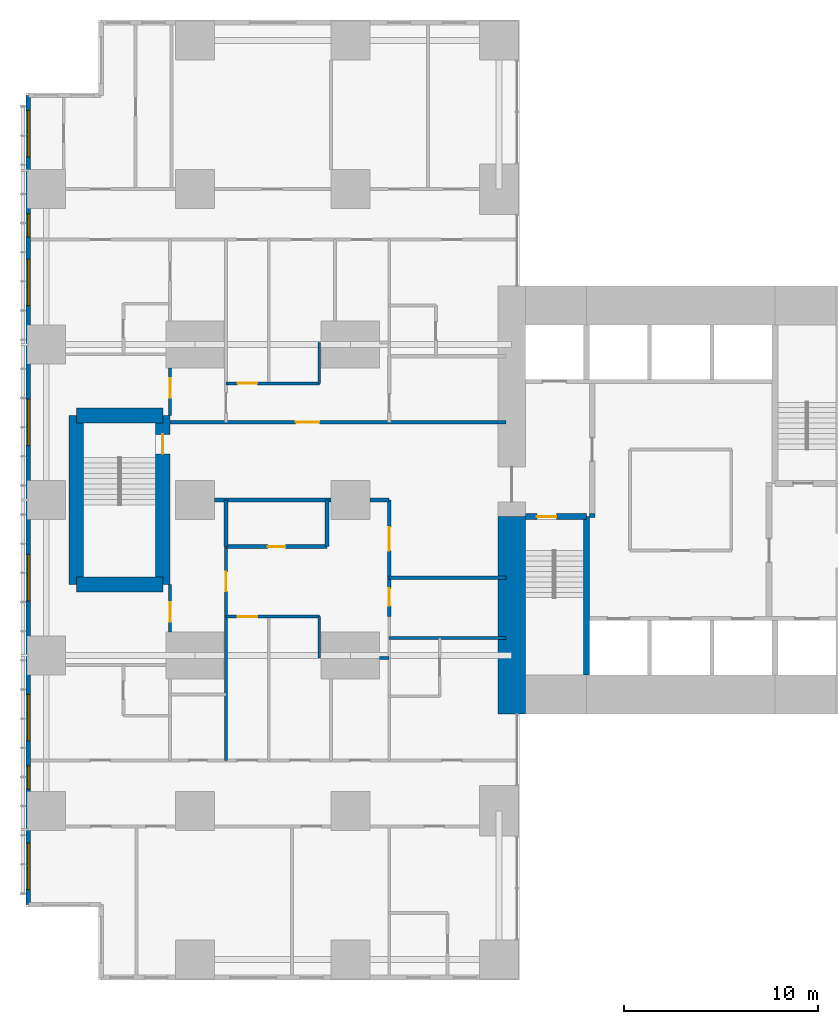
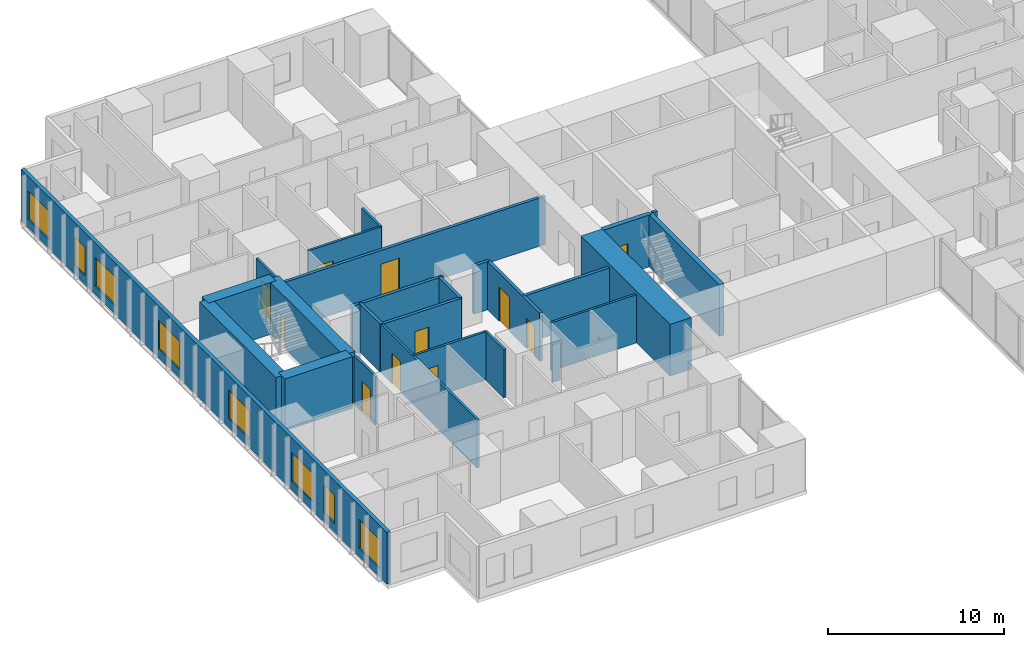
# One storey, part 13 of 20: 26 walls, 11 doors, 8 windows, 19 openings.
"""IFC4 building model written with IfcOpenShell, lengths in metres."""

import ifcopenshell
import ifcopenshell.guid

model = None  # the IFC model being written
_history = None  # IfcOwnerHistory: only IFC2X3 demands one
_inside = {}  # id of a spatial element -> (the spatial element, [elements in it])
_under = {}  # id of a project, library or spatial element -> (it, [spatial elements below it])
_declared = {}  # id of a project -> (the project, [libraries it declares])
_typed = {}  # id of a type object -> (the type object, [elements of that type])
_made_of = {}  # id of a material, layer set ... -> (it, [elements and type objects made of it])


def new_model(schema):
    """Start an empty IFC model of exactly this schema.

    Asked for "IFC4X3", IfcOpenShell would pick the latest addendum, in which some entities
    have other attributes; the version numbers below select the first issue.
    IFC2X3 requires an IfcOwnerHistory on every rooted entity: one is made here for all.
    """
    global model, _history
    if schema == "IFC4X3":
        model = ifcopenshell.file(schema_version=(4, 3, 0, 0))
    else:
        model = ifcopenshell.file(schema=schema)
    _inside.clear()
    _under.clear()
    _declared.clear()
    _typed.clear()
    _made_of.clear()
    _history = None
    if model.schema == "IFC2X3":
        org = make("IfcOrganization", Name="unknown")
        user = make(
            "IfcPersonAndOrganization",
            ThePerson=make("IfcPerson", FamilyName="unknown"),
            TheOrganization=org,
        )
        app = make(
            "IfcApplication",
            ApplicationDeveloper=org,
            Version="unknown",
            ApplicationFullName="unknown",
            ApplicationIdentifier="unknown",
        )
        _history = make(
            "IfcOwnerHistory",
            OwningUser=user,
            OwningApplication=app,
            ChangeAction="ADDED",
            CreationDate=0,
        )
    return model


def make(cls, **values):
    """One entity of the class cls with the attributes given. An attribute that is None is left unset."""
    return model.create_entity(
        cls, **{name: value for name, value in values.items() if value is not None}
    )


def rooted(cls, **values):
    """An entity with a GlobalId (a new one), such as an element, a storey or a relation."""
    return make(cls, GlobalId=ifcopenshell.guid.new(), OwnerHistory=_history, **values)


def si_unit(unit_type, name, prefix=None):
    """IfcSIUnit, for example si_unit("LENGTHUNIT", "METRE", prefix="MILLI")."""
    return make("IfcSIUnit", UnitType=unit_type, Prefix=prefix, Name=name)


def assignment(units):
    """IfcUnitAssignment: the units of a project."""
    return None if units is None else make("IfcUnitAssignment", Units=units)


def point(xyz):
    """IfcCartesianPoint."""
    return None if xyz is None else make("IfcCartesianPoint", Coordinates=xyz)


def direction(xyz):
    """IfcDirection."""
    return None if xyz is None else make("IfcDirection", DirectionRatios=xyz)


def frame(location, z_axis=None, x_axis=None):
    """IfcAxis2Placement3D, a coordinate frame: its origin and axes. An axis left out is left unset."""
    return make(
        "IfcAxis2Placement3D",
        Location=point(location),
        Axis=direction(z_axis),
        RefDirection=direction(x_axis),
    )


def frame_2d(location, x_axis=None):
    """IfcAxis2Placement2D, a coordinate frame in the plane: its origin and x axis."""
    return make(
        "IfcAxis2Placement2D", Location=point(location), RefDirection=direction(x_axis)
    )


def origin():
    """The frame at (0, 0, 0) with its axes left unset."""
    return frame((0.0, 0.0, 0.0))


def place(relative_to, where):
    """IfcLocalPlacement: puts the frame where relative to a parent placement (None: the world)."""
    return make(
        "IfcLocalPlacement", PlacementRelTo=relative_to, RelativePlacement=where
    )


def context(
    kind, dimensions, precision=None, world=None, true_north=None, identifier=None
):
    """IfcGeometricRepresentationContext, for example the 3D "Model" context."""
    return make(
        "IfcGeometricRepresentationContext",
        ContextIdentifier=identifier,
        ContextType=kind,
        CoordinateSpaceDimension=dimensions,
        Precision=precision,
        WorldCoordinateSystem=world,
        TrueNorth=true_north,
    )


def subcontext(parent, identifier, kind, view, scale=None):
    """IfcGeometricRepresentationSubContext, for example "Body" below "Model"."""
    return make(
        "IfcGeometricRepresentationSubContext",
        ContextIdentifier=identifier,
        ContextType=kind,
        ParentContext=parent,
        TargetScale=scale,
        TargetView=view,
    )


def project(units=None, contexts=None):
    """IfcProject with its units and contexts."""
    return rooted(
        "IfcProject",
        Name="project",
        RepresentationContexts=contexts,
        UnitsInContext=assignment(units),
    )


def spatial(cls, under=None, at=None, **own):
    """A site, building, storey or space (cls), placed at a placement, below another one or the project."""
    s = rooted(cls, ObjectPlacement=at, **own)
    if under is not None:
        _under.setdefault(under.id(), (under, []))[1].append(s)
    return s


def profile(cls, at=None, kind="AREA", **sizes):
    """A parametric profile (cls). Its sizes go by their IFC names, for example OverallWidth=200.0."""
    return make(cls, ProfileType=kind, Position=at, **sizes)


def rectangle(**sizes):
    """IfcRectangleProfileDef."""
    return profile("IfcRectangleProfileDef", **sizes)


def extrude(swept, where, along, depth):
    """IfcExtrudedAreaSolid: the profile swept, set in the frame where, extruded along a direction by depth."""
    return make(
        "IfcExtrudedAreaSolid",
        SweptArea=swept,
        Position=where,
        ExtrudedDirection=direction(along),
        Depth=depth,
    )


def shape(context_of_items, identifier, shape_type, items):
    """IfcShapeRepresentation: the items that make up one representation, for example the "Body"."""
    return make(
        "IfcShapeRepresentation",
        ContextOfItems=context_of_items,
        RepresentationIdentifier=identifier,
        RepresentationType=shape_type,
        Items=items,
    )


def material(Name=None, Category=None):
    """IfcMaterial."""
    return make("IfcMaterial", Name=Name, Category=Category)


def layer(
    of_material, thickness, ventilated=None, Name=None, Category=None, Priority=None
):
    """IfcMaterialLayer: one layer of a wall or slab, of a material (None: an air gap)."""
    return make(
        "IfcMaterialLayer",
        Material=of_material,
        LayerThickness=thickness,
        IsVentilated=ventilated,
        Name=Name,
        Category=Category,
        Priority=Priority,
    )


def layer_set(layers, Name=None):
    """IfcMaterialLayerSet."""
    return make("IfcMaterialLayerSet", MaterialLayers=layers, LayerSetName=Name)


def made_of(thing, what):
    """Note that an element or type object is made of a material, layer set ...; save() writes the relation."""
    if what is not None:
        _made_of.setdefault(what.id(), (what, []))[1].append(thing)
    return thing


def type_object(cls, material=None, **own):
    """A type object (cls), such as IfcWallType, which elements share."""
    return made_of(rooted(cls, **own), material)


def element(
    cls,
    number,
    at=None,
    inside=None,
    cuts=None,
    type_object=None,
    material=None,
    context=None,
    identifier="Body",
    shape_type=None,
    held_by="IfcProductDefinitionShape",
    body=None,
    shapes=None,
    **own,
):
    """One element of the class cls, such as IfcWall. Its Tag is "e" and its number.

    at: its placement. inside: the storey or other place that contains it. cuts: it is an
    opening in that element (IfcRelVoidsElement). A single representation is given by context,
    identifier, shape_type and body (its items); several are given by shapes. held_by: the class
    of the entity that holds the representations. save() writes the other relations.
    """
    e = rooted(cls, Tag="e%d" % number, ObjectPlacement=at, **own)
    if body is not None:
        shapes = [shape(context, identifier, shape_type, body)]
    if shapes is not None:
        e.Representation = make(held_by, Representations=shapes)
    if inside is not None:
        _inside.setdefault(inside.id(), (inside, []))[1].append(e)
    if cuts is not None:
        rooted(
            "IfcRelVoidsElement", RelatingBuildingElement=cuts, RelatedOpeningElement=e
        )
    if type_object is not None:
        _typed.setdefault(type_object.id(), (type_object, []))[1].append(e)
    return made_of(e, material)


def fill(opening, filler):
    """IfcRelFillsElement: the door or window that sits in an opening."""
    return rooted(
        "IfcRelFillsElement",
        RelatingOpeningElement=opening,
        RelatedBuildingElement=filler,
    )


def aggregate(whole, parts):
    """IfcRelAggregates: a whole, such as a stair, and the parts it consists of."""
    return rooted("IfcRelAggregates", RelatingObject=whole, RelatedObjects=parts)


def save(model, path):
    """Write the relations noted so far, then the file.

    IfcRelAggregates (storeys below a building ...), IfcRelContainedInSpatialStructure (elements
    in a storey), IfcRelDefinesByType, IfcRelAssociatesMaterial and IfcRelDeclares: one each for
    every whole, place, type object, material and project.
    """
    for whole, parts in _under.values():
        aggregate(whole, parts)
    for where, things in _inside.values():
        rooted(
            "IfcRelContainedInSpatialStructure",
            RelatedElements=things,
            RelatingStructure=where,
        )
    for kind, things in _typed.values():
        rooted("IfcRelDefinesByType", RelatedObjects=things, RelatingType=kind)
    for what, things in _made_of.values():
        rooted("IfcRelAssociatesMaterial", RelatedObjects=things, RelatingMaterial=what)
    for by, libraries in _declared.values():
        rooted("IfcRelDeclares", RelatingContext=by, RelatedDefinitions=libraries)
    model.write(path)


model = new_model("IFC4")

# Units and contexts
model_context = context("Model", 3, precision=1e-05, world=origin(), true_north=direction((0.0, 1.0)))
body_context = subcontext(model_context, "Body", "Model", "MODEL_VIEW")
ifc_project = project(units=[si_unit("LENGTHUNIT", "METRE"), si_unit("AREAUNIT", "SQUARE_METRE"), si_unit("VOLUMEUNIT", "CUBIC_METRE"), si_unit("PLANEANGLEUNIT", "RADIAN"), si_unit("MASSUNIT", "GRAM", prefix="KILO")], contexts=[model_context])

# Site, building, storey
site_placement = place(None, origin())
site = spatial("IfcSite", under=ifc_project, at=site_placement, CompositionType="ELEMENT")
building_placement = place(site_placement, origin())
building = spatial("IfcBuilding", under=site, at=building_placement, Name="Cleftline Residences", CompositionType="ELEMENT")
storey_placement = place(building_placement, frame((0.0, 0.0, 62.0)))
storey = spatial("IfcBuildingStorey", under=building, at=storey_placement, Name="L15", CompositionType="ELEMENT", Elevation=62.0)

# Walls
ifc_material_1 = material(Name="Concrete B70", Category="concrete")
ifc_layer_1 = layer(ifc_material_1, 1.39990234375)
ifc_layer_set_1 = layer_set([ifc_layer_1], Name="CORE WALL 1400")
wall_type_1 = type_object("IfcWallType", Name="CORE WALL 1400", PredefinedType="SHEAR", material=ifc_layer_set_1)
wall_1_placement = place(storey_placement, frame((24.300048828125, 13.0, 0.0), z_axis=(0.0, 0.0, 1.0), x_axis=(0.0, 1.0, 0.0)))
element("IfcWall", 1, at=wall_1_placement, inside=storey, type_object=wall_type_1, Name="Core wall W0", PredefinedType="SHEAR", context=body_context, shape_type="SweptSolid", body=[
    extrude(rectangle(XDim=10.14990234375, YDim=1.39990234375, at=frame_2d((5.074951171875, 0.0))), origin(), (0.0, 0.0, 1.0), 3.60009765625),
])
ifc_material_2 = material(Name="Concrete B70", Category="concrete")
ifc_layer_2 = layer(ifc_material_2, 0.300048828125)
ifc_layer_set_2 = layer_set([ifc_layer_2], Name="CORE WALL 300")
wall_type_2 = type_object("IfcWallType", Name="CORE WALL 300", PredefinedType="SHEAR", material=ifc_layer_set_2)
wall_2_placement = place(storey_placement, frame((28.14990234375, 15.0, 0.0), z_axis=(0.0, 0.0, 1.0), x_axis=(0.0, 1.0, 0.0)))
element("IfcWall", 2, at=wall_2_placement, inside=storey, type_object=wall_type_2, Name="Core wall SA-E", PredefinedType="SHEAR", context=body_context, shape_type="SweptSolid", body=[
    extrude(rectangle(XDim=8.14990234375, YDim=0.300048828125, at=frame_2d((4.074951171875, 0.0))), origin(), (0.0, 0.0, 1.0), 3.60009765625),
])

# Wall, opening, door
wall_3_placement = place(storey_placement, frame((25.0, 23.14990234375, 0.0), z_axis=(0.0, 0.0, 1.0), x_axis=(1.0, 0.0, 0.0)))
wall_3 = element("IfcWall", 3, at=wall_3_placement, inside=storey, type_object=wall_type_2, Name="Core wall SA-N", PredefinedType="SHEAR", context=body_context, shape_type="SweptSolid", body=[
    extrude(rectangle(XDim=3.14990234375, YDim=0.300048828125, at=frame_2d((1.574951171875, 0.0))), origin(), (0.0, 0.0, 1.0), 3.60009765625),
])
opening_1_placement = place(wall_3_placement, frame((0.60009765625, 0.0, 0.0)))
opening_1 = element("IfcOpeningElement", 4, at=opening_1_placement, cuts=wall_3, Name="Opening D5", PredefinedType="OPENING", context=body_context, shape_type="SweptSolid", body=[
    extrude(rectangle(XDim=1.0, YDim=2.10009765625, at=frame_2d((0.5, 1.050048828125))), frame((0.0, 0.159912109375, 0.0), z_axis=(0.0, -1.0, 0.0), x_axis=(1.0, 0.0, 0.0)), (0.0, 0.0, 1.0), 0.320068359375),
])
ifc_material_3 = material(Name="Steel", Category="steel")
door_type_1 = type_object("IfcDoorType", Name="STAIR DOOR 1000X2100", OperationType="SINGLE_SWING_LEFT", PredefinedType="DOOR", material=ifc_material_3)
door_1_placement = place(opening_1_placement, origin())
door_1 = element("IfcDoor", 5, at=door_1_placement, inside=storey, type_object=door_type_1, Name="Stair A door", OperationType="SINGLE_SWING_RIGHT", OverallHeight=2.10009765625, OverallWidth=1.0, PredefinedType="DOOR", context=body_context, shape_type="SweptSolid", body=[
    extrude(rectangle(XDim=1.0, YDim=2.10009765625, at=frame_2d((0.5, 1.050048828125))), frame((0.0, 0.02490234375, 0.0), z_axis=(0.0, -1.0, 0.0), x_axis=(1.0, 0.0, 0.0)), (0.0, 0.0, 1.0), 0.050048828125),
])
fill(opening_1, door_1)

# Wall, openings, windows
ifc_material_4 = material(Name="Rendered reinforced concrete blockwork", Category="masonry")
ifc_layer_3 = layer(ifc_material_4, 0.25)
ifc_layer_set_3 = layer_set([ifc_layer_3], Name="EXTERNAL WALL 250")
wall_type_3 = type_object("IfcWallType", Name="EXTERNAL WALL 250", PredefinedType="SOLIDWALL", material=ifc_layer_set_3)
wall_4_placement = place(storey_placement, frame((-0.574951171875, 44.824951171875, 0.0), z_axis=(0.0, 0.0, 1.0), x_axis=(0.0, -1.0, 0.0)))
wall_4 = element("IfcWall", 6, at=wall_4_placement, inside=storey, type_object=wall_type_3, Name="External wall", PredefinedType="SOLIDWALL", context=body_context, shape_type="SweptSolid", body=[
    extrude(rectangle(XDim=41.64990234375, YDim=0.25, at=frame_2d((20.824951171875, 0.0))), origin(), (0.0, 0.0, 1.0), 3.60009765625),
])
opening_2_placement = place(wall_4_placement, frame((0.77490234375, 0.0, 0.60009765625)))
opening_2 = element("IfcOpeningElement", 7, at=opening_2_placement, cuts=wall_4, Name="Opening W6", PredefinedType="OPENING", context=body_context, shape_type="SweptSolid", body=[
    extrude(rectangle(XDim=2.39990234375, YDim=2.0, at=frame_2d((1.199951171875, 1.0))), frame((0.0, 0.135009765625, 0.0), z_axis=(0.0, -1.0, 0.0), x_axis=(1.0, 0.0, 0.0)), (0.0, 0.0, 1.0), 0.27001953125),
])
opening_3_placement = place(wall_4_placement, frame((6.10009765625, 0.0, 0.60009765625)))
opening_3 = element("IfcOpeningElement", 8, at=opening_3_placement, cuts=wall_4, Name="Opening W8", PredefinedType="OPENING", context=body_context, shape_type="SweptSolid", body=[
    extrude(rectangle(XDim=1.199951171875, YDim=2.0, at=frame_2d((0.60009765625, 1.0))), frame((0.0, 0.135009765625, 0.0), z_axis=(0.0, -1.0, 0.0), x_axis=(1.0, 0.0, 0.0)), (0.0, 0.0, 1.0), 0.27001953125),
])
opening_4_placement = place(wall_4_placement, frame((8.425048828125, 0.0, 0.60009765625)))
opening_4 = element("IfcOpeningElement", 9, at=opening_4_placement, cuts=wall_4, Name="Opening W6", PredefinedType="OPENING", context=body_context, shape_type="SweptSolid", body=[
    extrude(rectangle(XDim=2.39990234375, YDim=2.0, at=frame_2d((1.199951171875, 1.0))), frame((0.0, 0.135009765625, 0.0), z_axis=(0.0, -1.0, 0.0), x_axis=(1.0, 0.0, 0.0)), (0.0, 0.0, 1.0), 0.27001953125),
])
opening_5_placement = place(wall_4_placement, frame((15.625, 0.0, 0.60009765625)))
opening_5 = element("IfcOpeningElement", 10, at=opening_5_placement, cuts=wall_4, Name="Opening W6", PredefinedType="OPENING", context=body_context, shape_type="SweptSolid", body=[
    extrude(rectangle(XDim=2.39990234375, YDim=2.0, at=frame_2d((1.199951171875, 1.0))), frame((0.0, 0.135009765625, 0.0), z_axis=(0.0, -1.0, 0.0), x_axis=(1.0, 0.0, 0.0)), (0.0, 0.0, 1.0), 0.27001953125),
])
opening_6_placement = place(wall_4_placement, frame((23.625, 0.0, 0.60009765625)))
opening_6 = element("IfcOpeningElement", 11, at=opening_6_placement, cuts=wall_4, Name="Opening W6", PredefinedType="OPENING", context=body_context, shape_type="SweptSolid", body=[
    extrude(rectangle(XDim=2.39990234375, YDim=2.0, at=frame_2d((1.199951171875, 1.0))), frame((0.0, 0.135009765625, 0.0), z_axis=(0.0, -1.0, 0.0), x_axis=(1.0, 0.0, 0.0)), (0.0, 0.0, 1.0), 0.27001953125),
])
opening_7_placement = place(wall_4_placement, frame((30.824951171875, 0.0, 0.60009765625)))
opening_7 = element("IfcOpeningElement", 12, at=opening_7_placement, cuts=wall_4, Name="Opening W6", PredefinedType="OPENING", context=body_context, shape_type="SweptSolid", body=[
    extrude(rectangle(XDim=2.39990234375, YDim=2.0, at=frame_2d((1.199951171875, 1.0))), frame((0.0, 0.135009765625, 0.0), z_axis=(0.0, -1.0, 0.0), x_axis=(1.0, 0.0, 0.0)), (0.0, 0.0, 1.0), 0.27001953125),
])
opening_8_placement = place(wall_4_placement, frame((34.5, 0.0, 0.60009765625)))
opening_8 = element("IfcOpeningElement", 13, at=opening_8_placement, cuts=wall_4, Name="Opening W8", PredefinedType="OPENING", context=body_context, shape_type="SweptSolid", body=[
    extrude(rectangle(XDim=1.199951171875, YDim=2.0, at=frame_2d((0.60009765625, 1.0))), frame((0.0, 0.135009765625, 0.0), z_axis=(0.0, -1.0, 0.0), x_axis=(1.0, 0.0, 0.0)), (0.0, 0.0, 1.0), 0.27001953125),
])
opening_9_placement = place(wall_4_placement, frame((38.47509765625, 0.0, 0.60009765625)))
opening_9 = element("IfcOpeningElement", 14, at=opening_9_placement, cuts=wall_4, Name="Opening W6", PredefinedType="OPENING", context=body_context, shape_type="SweptSolid", body=[
    extrude(rectangle(XDim=2.39990234375, YDim=2.0, at=frame_2d((1.199951171875, 1.0))), frame((0.0, 0.135009765625, 0.0), z_axis=(0.0, -1.0, 0.0), x_axis=(1.0, 0.0, 0.0)), (0.0, 0.0, 1.0), 0.27001953125),
])
ifc_material_5 = material(Name="Aluminium frame, clear double glazing", Category="aluminium")
window_type_1 = type_object("IfcWindowType", Name="WINDOW 1200X2000", PartitioningType="DOUBLE_PANEL_VERTICAL", PredefinedType="WINDOW", material=ifc_material_5)
window_1_placement = place(opening_3_placement, origin())
window_1 = element("IfcWindow", 15, at=window_1_placement, inside=storey, type_object=window_type_1, Name="Window", OverallHeight=2.0, OverallWidth=1.199951171875, PartitioningType="SINGLE_PANEL", PredefinedType="WINDOW", context=body_context, shape_type="SweptSolid", body=[
    extrude(rectangle(XDim=1.199951171875, YDim=2.0, at=frame_2d((0.60009765625, 1.0))), frame((0.0, 0.030029296875, 0.0), z_axis=(0.0, -1.0, 0.0), x_axis=(1.0, 0.0, 0.0)), (0.0, 0.0, 1.0), 0.06005859375),
])
fill(opening_3, window_1)
window_2_placement = place(opening_8_placement, origin())
window_2 = element("IfcWindow", 16, at=window_2_placement, inside=storey, type_object=window_type_1, Name="Window", OverallHeight=2.0, OverallWidth=1.199951171875, PartitioningType="SINGLE_PANEL", PredefinedType="WINDOW", context=body_context, shape_type="SweptSolid", body=[
    extrude(rectangle(XDim=1.199951171875, YDim=2.0, at=frame_2d((0.60009765625, 1.0))), frame((0.0, 0.030029296875, 0.0), z_axis=(0.0, -1.0, 0.0), x_axis=(1.0, 0.0, 0.0)), (0.0, 0.0, 1.0), 0.06005859375),
])
fill(opening_8, window_2)
ifc_material_6 = material(Name="Aluminium frame, clear double glazing", Category="aluminium")
window_type_2 = type_object("IfcWindowType", Name="WINDOW 2400X2000", PartitioningType="DOUBLE_PANEL_VERTICAL", PredefinedType="WINDOW", material=ifc_material_6)
window_3_placement = place(opening_2_placement, origin())
window_3 = element("IfcWindow", 17, at=window_3_placement, inside=storey, type_object=window_type_2, Name="Window", OverallHeight=2.0, OverallWidth=2.39990234375, PartitioningType="SINGLE_PANEL", PredefinedType="WINDOW", context=body_context, shape_type="SweptSolid", body=[
    extrude(rectangle(XDim=2.39990234375, YDim=2.0, at=frame_2d((1.199951171875, 1.0))), frame((0.0, 0.030029296875, 0.0), z_axis=(0.0, -1.0, 0.0), x_axis=(1.0, 0.0, 0.0)), (0.0, 0.0, 1.0), 0.06005859375),
])
fill(opening_2, window_3)
window_4_placement = place(opening_4_placement, origin())
window_4 = element("IfcWindow", 18, at=window_4_placement, inside=storey, type_object=window_type_2, Name="Window", OverallHeight=2.0, OverallWidth=2.39990234375, PartitioningType="SINGLE_PANEL", PredefinedType="WINDOW", context=body_context, shape_type="SweptSolid", body=[
    extrude(rectangle(XDim=2.39990234375, YDim=2.0, at=frame_2d((1.199951171875, 1.0))), frame((0.0, 0.030029296875, 0.0), z_axis=(0.0, -1.0, 0.0), x_axis=(1.0, 0.0, 0.0)), (0.0, 0.0, 1.0), 0.06005859375),
])
fill(opening_4, window_4)
window_5_placement = place(opening_5_placement, origin())
window_5 = element("IfcWindow", 19, at=window_5_placement, inside=storey, type_object=window_type_2, Name="Window", OverallHeight=2.0, OverallWidth=2.39990234375, PartitioningType="SINGLE_PANEL", PredefinedType="WINDOW", context=body_context, shape_type="SweptSolid", body=[
    extrude(rectangle(XDim=2.39990234375, YDim=2.0, at=frame_2d((1.199951171875, 1.0))), frame((0.0, 0.030029296875, 0.0), z_axis=(0.0, -1.0, 0.0), x_axis=(1.0, 0.0, 0.0)), (0.0, 0.0, 1.0), 0.06005859375),
])
fill(opening_5, window_5)
window_6_placement = place(opening_6_placement, origin())
window_6 = element("IfcWindow", 20, at=window_6_placement, inside=storey, type_object=window_type_2, Name="Window", OverallHeight=2.0, OverallWidth=2.39990234375, PartitioningType="SINGLE_PANEL", PredefinedType="WINDOW", context=body_context, shape_type="SweptSolid", body=[
    extrude(rectangle(XDim=2.39990234375, YDim=2.0, at=frame_2d((1.199951171875, 1.0))), frame((0.0, 0.030029296875, 0.0), z_axis=(0.0, -1.0, 0.0), x_axis=(1.0, 0.0, 0.0)), (0.0, 0.0, 1.0), 0.06005859375),
])
fill(opening_6, window_6)
window_7_placement = place(opening_7_placement, origin())
window_7 = element("IfcWindow", 21, at=window_7_placement, inside=storey, type_object=window_type_2, Name="Window", OverallHeight=2.0, OverallWidth=2.39990234375, PartitioningType="SINGLE_PANEL", PredefinedType="WINDOW", context=body_context, shape_type="SweptSolid", body=[
    extrude(rectangle(XDim=2.39990234375, YDim=2.0, at=frame_2d((1.199951171875, 1.0))), frame((0.0, 0.030029296875, 0.0), z_axis=(0.0, -1.0, 0.0), x_axis=(1.0, 0.0, 0.0)), (0.0, 0.0, 1.0), 0.06005859375),
])
fill(opening_7, window_7)
window_8_placement = place(opening_9_placement, origin())
window_8 = element("IfcWindow", 22, at=window_8_placement, inside=storey, type_object=window_type_2, Name="Window", OverallHeight=2.0, OverallWidth=2.39990234375, PartitioningType="SINGLE_PANEL", PredefinedType="WINDOW", context=body_context, shape_type="SweptSolid", body=[
    extrude(rectangle(XDim=2.39990234375, YDim=2.0, at=frame_2d((1.199951171875, 1.0))), frame((0.0, 0.030029296875, 0.0), z_axis=(0.0, -1.0, 0.0), x_axis=(1.0, 0.0, 0.0)), (0.0, 0.0, 1.0), 0.06005859375),
])
fill(opening_9, window_8)

# Wall
ifc_material_7 = material(Name="Concrete blockwork, fire rated", Category="masonry")
ifc_layer_4 = layer(ifc_material_7, 0.199951171875)
ifc_layer_set_4 = layer_set([ifc_layer_4], Name="FIRE WALL 200")
wall_type_4 = type_object("IfcWallType", Name="FIRE WALL 200", PredefinedType="PARTITIONING", material=ifc_layer_set_4)
wall_5_placement = place(storey_placement, frame((18.0, 20.0, 0.0), z_axis=(0.0, 0.0, 1.0), x_axis=(1.0, 0.0, 0.0)))
element("IfcWall", 23, at=wall_5_placement, inside=storey, type_object=wall_type_4, Name="Fire separating wall", PredefinedType="PARTITIONING", context=body_context, shape_type="SweptSolid", body=[
    extrude(rectangle(XDim=6.0, YDim=0.199951171875, at=frame_2d((3.0, 0.0))), origin(), (0.0, 0.0, 1.0), 3.35009765625),
])

# Wall, opening, door
wall_6_placement = place(storey_placement, frame((9.60009765625, 21.60009765625, 0.0), z_axis=(0.0, 0.0, 1.0), x_axis=(1.0, 0.0, 0.0)))
wall_6 = element("IfcWall", 24, at=wall_6_placement, inside=storey, type_object=wall_type_4, Name="Fire separating wall", PredefinedType="PARTITIONING", context=body_context, shape_type="SweptSolid", body=[
    extrude(rectangle(XDim=5.199951171875, YDim=0.199951171875, at=frame_2d((2.60009765625, 0.0))), origin(), (0.0, 0.0, 1.0), 3.35009765625),
])
opening_10_placement = place(wall_6_placement, frame((2.14990234375, 0.0, 0.0)))
opening_10 = element("IfcOpeningElement", 25, at=opening_10_placement, cuts=wall_6, Name="Opening D1F30", PredefinedType="OPENING", context=body_context, shape_type="SweptSolid", body=[
    extrude(rectangle(XDim=0.89990234375, YDim=2.10009765625, at=frame_2d((0.449951171875, 1.050048828125))), frame((0.0, 0.10986328125, 0.0), z_axis=(0.0, -1.0, 0.0), x_axis=(1.0, 0.0, 0.0)), (0.0, 0.0, 1.0), 0.219970703125),
])
ifc_material_8 = material(Name="Timber veneer on solid core", Category="wood")
door_type_2 = type_object("IfcDoorType", Name="DOOR 900X2100 EI 30", OperationType="SINGLE_SWING_LEFT", PredefinedType="DOOR", material=ifc_material_8)
door_2_placement = place(opening_10_placement, origin())
door_2 = element("IfcDoor", 26, at=door_2_placement, inside=storey, type_object=door_type_2, Name="Door to cloakroom wc", OperationType="SINGLE_SWING_LEFT", OverallHeight=2.10009765625, OverallWidth=0.89990234375, PredefinedType="DOOR", context=body_context, shape_type="SweptSolid", body=[
    extrude(rectangle(XDim=0.89990234375, YDim=2.10009765625, at=frame_2d((0.449951171875, 1.050048828125))), frame((0.0, 0.02490234375, 0.0), z_axis=(0.0, -1.0, 0.0), x_axis=(1.0, 0.0, 0.0)), (0.0, 0.0, 1.0), 0.050048828125),
])
fill(opening_10, door_2)

# Walls
wall_7_placement = place(storey_placement, frame((9.0, 24.0, 0.0), z_axis=(0.0, 0.0, 1.0), x_axis=(1.0, 0.0, 0.0)))
element("IfcWall", 27, at=wall_7_placement, inside=storey, type_object=wall_type_4, Name="Fire separating wall", PredefinedType="PARTITIONING", context=body_context, shape_type="SweptSolid", body=[
    extrude(rectangle(XDim=6.0, YDim=0.199951171875, at=frame_2d((3.0, 0.0))), origin(), (0.0, 0.0, 1.0), 3.35009765625),
])
wall_8_placement = place(storey_placement, frame((17.0, 24.0, 0.0), z_axis=(0.0, 0.0, 1.0), x_axis=(1.0, 0.0, 0.0)))
element("IfcWall", 28, at=wall_8_placement, inside=storey, type_object=wall_type_4, Name="Fire separating wall", PredefinedType="PARTITIONING", context=body_context, shape_type="SweptSolid", body=[
    extrude(rectangle(XDim=1.0, YDim=0.199951171875, at=frame_2d((0.5, 0.0))), origin(), (0.0, 0.0, 1.0), 3.35009765625),
])

# Wall, opening, door
wall_9_placement = place(storey_placement, frame((6.72509765625, 28.0, 0.0), z_axis=(0.0, 0.0, 1.0), x_axis=(1.0, 0.0, 0.0)))
wall_9 = element("IfcWall", 29, at=wall_9_placement, inside=storey, type_object=wall_type_4, Name="Fire separating wall", PredefinedType="PARTITIONING", context=body_context, shape_type="SweptSolid", body=[
    extrude(rectangle(XDim=17.27490234375, YDim=0.199951171875, at=frame_2d((8.637451171875, 0.0))), origin(), (0.0, 0.0, 1.0), 3.35009765625),
])
opening_11_placement = place(wall_9_placement, frame((6.47509765625, 0.0, 0.0)))
opening_11 = element("IfcOpeningElement", 30, at=opening_11_placement, cuts=wall_9, Name="Opening D4", PredefinedType="OPENING", context=body_context, shape_type="SweptSolid", body=[
    extrude(rectangle(XDim=1.199951171875, YDim=2.39990234375, at=frame_2d((0.60009765625, 1.199951171875))), frame((0.0, 0.10986328125, 0.0), z_axis=(0.0, -1.0, 0.0), x_axis=(1.0, 0.0, 0.0)), (0.0, 0.0, 1.0), 0.219970703125),
])
ifc_material_9 = material(Name="Timber veneer on solid core", Category="wood")
door_type_3 = type_object("IfcDoorType", Name="APARTMENT ENTRANCE DOOR 1200X2400", OperationType="SINGLE_SWING_RIGHT", PredefinedType="DOOR", material=ifc_material_9)
door_3_placement = place(opening_11_placement, origin())
door_3 = element("IfcDoor", 31, at=door_3_placement, inside=storey, type_object=door_type_3, Name="Door to residence entrance foyer", OperationType="SINGLE_SWING_RIGHT", OverallHeight=2.39990234375, OverallWidth=1.199951171875, PredefinedType="DOOR", context=body_context, shape_type="SweptSolid", body=[
    extrude(rectangle(XDim=1.199951171875, YDim=2.39990234375, at=frame_2d((0.60009765625, 1.199951171875))), frame((0.0, 0.02490234375, 0.0), z_axis=(0.0, -1.0, 0.0), x_axis=(1.0, 0.0, 0.0)), (0.0, 0.0, 1.0), 0.050048828125),
])
fill(opening_11, door_3)

# Walls
for number, where, z_axis, x_axis, name in (
    (32, (9.60009765625, 21.60009765625, 0.0), (0.0, 0.0, 1.0), (0.0, 1.0, 0.0), "Fire separating wall"),
    (33, (14.800048828125, 21.60009765625, 0.0), (0.0, 0.0, 1.0), (0.0, 1.0, 0.0), "Fire separating wall"),
):
    element("IfcWall", number, at=place(storey_placement, frame(where, z_axis=z_axis, x_axis=x_axis)), inside=storey, type_object=wall_type_4, Name=name, PredefinedType="PARTITIONING", context=body_context, shape_type="SweptSolid", body=[
        extrude(rectangle(XDim=2.39990234375, YDim=0.199951171875, at=frame_2d((1.199951171875, 0.0))), origin(), (0.0, 0.0, 1.0), 3.35009765625),
    ])

# Wall, openings, doors
wall_10_placement = place(storey_placement, frame((18.0, 18.0, 0.0), z_axis=(0.0, 0.0, 1.0), x_axis=(0.0, 1.0, 0.0)))
wall_10 = element("IfcWall", 34, at=wall_10_placement, inside=storey, type_object=wall_type_4, Name="Fire separating wall", PredefinedType="PARTITIONING", context=body_context, shape_type="SweptSolid", body=[
    extrude(rectangle(XDim=6.0, YDim=0.199951171875, at=frame_2d((3.0, 0.0))), origin(), (0.0, 0.0, 1.0), 3.35009765625),
])
opening_12_placement = place(wall_10_placement, frame((3.39990234375, 0.0, 0.0)))
opening_12 = element("IfcOpeningElement", 35, at=opening_12_placement, cuts=wall_10, Name="Opening D4", PredefinedType="OPENING", context=body_context, shape_type="SweptSolid", body=[
    extrude(rectangle(XDim=1.199951171875, YDim=2.39990234375, at=frame_2d((0.60009765625, 1.199951171875))), frame((0.0, 0.10986328125, 0.0), z_axis=(0.0, -1.0, 0.0), x_axis=(1.0, 0.0, 0.0)), (0.0, 0.0, 1.0), 0.219970703125),
])
opening_13_placement = place(wall_10_placement, frame((0.550048828125, 0.0, 0.0)))
opening_13 = element("IfcOpeningElement", 36, at=opening_13_placement, cuts=wall_10, Name="Opening D1F30", PredefinedType="OPENING", context=body_context, shape_type="SweptSolid", body=[
    extrude(rectangle(XDim=0.89990234375, YDim=2.10009765625, at=frame_2d((0.449951171875, 1.050048828125))), frame((0.0, 0.10986328125, 0.0), z_axis=(0.0, -1.0, 0.0), x_axis=(1.0, 0.0, 0.0)), (0.0, 0.0, 1.0), 0.219970703125),
])
door_4_placement = place(opening_12_placement, origin())
door_4 = element("IfcDoor", 37, at=door_4_placement, inside=storey, type_object=door_type_3, Name="Door to residence entrance foyer", OperationType="SINGLE_SWING_LEFT", OverallHeight=2.39990234375, OverallWidth=1.199951171875, PredefinedType="DOOR", context=body_context, shape_type="SweptSolid", body=[
    extrude(rectangle(XDim=1.199951171875, YDim=2.39990234375, at=frame_2d((0.60009765625, 1.199951171875))), frame((0.0, 0.02490234375, 0.0), z_axis=(0.0, -1.0, 0.0), x_axis=(1.0, 0.0, 0.0)), (0.0, 0.0, 1.0), 0.050048828125),
])
fill(opening_12, door_4)
door_5_placement = place(opening_13_placement, origin())
door_5 = element("IfcDoor", 38, at=door_5_placement, inside=storey, type_object=door_type_2, Name="Door to laundry", OperationType="SINGLE_SWING_RIGHT", OverallHeight=2.10009765625, OverallWidth=0.89990234375, PredefinedType="DOOR", context=body_context, shape_type="SweptSolid", body=[
    extrude(rectangle(XDim=0.89990234375, YDim=2.10009765625, at=frame_2d((0.449951171875, 1.050048828125))), frame((0.0, 0.02490234375, 0.0), z_axis=(0.0, -1.0, 0.0), x_axis=(1.0, 0.0, 0.0)), (0.0, 0.0, 1.0), 0.050048828125),
])
fill(opening_13, door_5)

# Walls
wall_11_placement = place(storey_placement, frame((28.300048828125, 23.199951171875, 0.0), z_axis=(0.0, 0.0, 1.0), x_axis=(1.0, 0.0, 0.0)))
element("IfcWall", 39, at=wall_11_placement, inside=storey, type_object=wall_type_4, Name="Fire separating wall", PredefinedType="PARTITIONING", context=body_context, shape_type="SweptSolid", body=[
    extrude(rectangle(XDim=0.300048828125, YDim=0.199951171875, at=frame_2d((0.14990234375, 0.0))), origin(), (0.0, 0.0, 1.0), 3.60009765625),
])
ifc_material_10 = material(Name="Gypsum board on steel studs", Category="steel")
ifc_layer_5 = layer(ifc_material_10, 0.14990234375)
ifc_layer_set_5 = layer_set([ifc_layer_5], Name="PARTITION 150")
wall_type_5 = type_object("IfcWallType", Name="PARTITION 150", PredefinedType="PARTITIONING", material=ifc_layer_set_5)
wall_12_placement = place(storey_placement, frame((17.5, 15.875, 0.0), z_axis=(0.0, 0.0, 1.0), x_axis=(1.0, 0.0, 0.0)))
element("IfcWall", 40, at=wall_12_placement, inside=storey, type_object=wall_type_5, Name="Partition", PredefinedType="PARTITIONING", context=body_context, shape_type="SweptSolid", body=[
    extrude(rectangle(XDim=0.5, YDim=0.14990234375, at=frame_2d((0.25, 0.0))), origin(), (0.0, 0.0, 1.0), 2.634033203125),
])
wall_13_placement = place(storey_placement, frame((18.0, 16.89990234375, 0.0), z_axis=(0.0, 0.0, 1.0), x_axis=(1.0, 0.0, 0.0)))
element("IfcWall", 41, at=wall_13_placement, inside=storey, type_object=wall_type_5, Name="Partition", PredefinedType="PARTITIONING", context=body_context, shape_type="SweptSolid", body=[
    extrude(rectangle(XDim=6.0, YDim=0.14990234375, at=frame_2d((3.0, 0.0))), origin(), (0.0, 0.0, 1.0), 3.35009765625),
])

# Wall, opening, door
wall_14_placement = place(storey_placement, frame((9.60009765625, 18.0, 0.0), z_axis=(0.0, 0.0, 1.0), x_axis=(1.0, 0.0, 0.0)))
wall_14 = element("IfcWall", 42, at=wall_14_placement, inside=storey, type_object=wall_type_5, Name="Partition", PredefinedType="PARTITIONING", context=body_context, shape_type="SweptSolid", body=[
    extrude(rectangle(XDim=4.7998046875, YDim=0.14990234375, at=frame_2d((2.39990234375, 0.0))), origin(), (0.0, 0.0, 1.0), 3.35009765625),
])
opening_14_placement = place(wall_14_placement, frame((0.60009765625, 0.0, 0.0)))
opening_14 = element("IfcOpeningElement", 43, at=opening_14_placement, cuts=wall_14, Name="Opening D2", PredefinedType="OPENING", context=body_context, shape_type="SweptSolid", body=[
    extrude(rectangle(XDim=1.0, YDim=2.10009765625, at=frame_2d((0.5, 1.050048828125))), frame((0.0, 0.0849609375, 0.0), z_axis=(0.0, -1.0, 0.0), x_axis=(1.0, 0.0, 0.0)), (0.0, 0.0, 1.0), 0.169921875),
])
ifc_material_11 = material(Name="Timber veneer on solid core", Category="wood")
door_type_4 = type_object("IfcDoorType", Name="DOOR 1000X2100", OperationType="SINGLE_SWING_LEFT", PredefinedType="DOOR", material=ifc_material_11)
door_6_placement = place(opening_14_placement, origin())
door_6 = element("IfcDoor", 44, at=door_6_placement, inside=storey, type_object=door_type_4, Name="Door to residence passage", OperationType="SINGLE_SWING_RIGHT", OverallHeight=2.10009765625, OverallWidth=1.0, PredefinedType="DOOR", context=body_context, shape_type="SweptSolid", body=[
    extrude(rectangle(XDim=1.0, YDim=2.10009765625, at=frame_2d((0.5, 1.050048828125))), frame((0.0, 0.02490234375, 0.0), z_axis=(0.0, -1.0, 0.0), x_axis=(1.0, 0.0, 0.0)), (0.0, 0.0, 1.0), 0.050048828125),
])
fill(opening_14, door_6)

wall_15_placement = place(storey_placement, frame((9.60009765625, 30.0, 0.0), z_axis=(0.0, 0.0, 1.0), x_axis=(1.0, 0.0, 0.0)))
wall_15 = element("IfcWall", 45, at=wall_15_placement, inside=storey, type_object=wall_type_5, Name="Partition", PredefinedType="PARTITIONING", context=body_context, shape_type="SweptSolid", body=[
    extrude(rectangle(XDim=4.7998046875, YDim=0.14990234375, at=frame_2d((2.39990234375, 0.0))), origin(), (0.0, 0.0, 1.0), 3.35009765625),
])
opening_15_placement = place(wall_15_placement, frame((0.60009765625, 0.0, 0.0)))
opening_15 = element("IfcOpeningElement", 46, at=opening_15_placement, cuts=wall_15, Name="Opening D2", PredefinedType="OPENING", context=body_context, shape_type="SweptSolid", body=[
    extrude(rectangle(XDim=1.0, YDim=2.10009765625, at=frame_2d((0.5, 1.050048828125))), frame((0.0, 0.0849609375, 0.0), z_axis=(0.0, -1.0, 0.0), x_axis=(1.0, 0.0, 0.0)), (0.0, 0.0, 1.0), 0.169921875),
])
door_7_placement = place(opening_15_placement, origin())
door_7 = element("IfcDoor", 47, at=door_7_placement, inside=storey, type_object=door_type_4, Name="Door to residence passage", OperationType="SINGLE_SWING_RIGHT", OverallHeight=2.10009765625, OverallWidth=1.0, PredefinedType="DOOR", context=body_context, shape_type="SweptSolid", body=[
    extrude(rectangle(XDim=1.0, YDim=2.10009765625, at=frame_2d((0.5, 1.050048828125))), frame((0.0, 0.02490234375, 0.0), z_axis=(0.0, -1.0, 0.0), x_axis=(1.0, 0.0, 0.0)), (0.0, 0.0, 1.0), 0.050048828125),
])
fill(opening_15, door_7)

wall_16_placement = place(storey_placement, frame((6.72509765625, 17.199951171875, 0.0), z_axis=(0.0, 0.0, 1.0), x_axis=(0.0, 1.0, 0.0)))
wall_16 = element("IfcWall", 48, at=wall_16_placement, inside=storey, type_object=wall_type_5, Name="Partition", PredefinedType="PARTITIONING", context=body_context, shape_type="SweptSolid", body=[
    extrude(rectangle(XDim=2.449951171875, YDim=0.14990234375, at=frame_2d((1.22509765625, 0.0))), origin(), (0.0, 0.0, 1.0), 3.35009765625),
])
opening_16_placement = place(wall_16_placement, frame((0.53759765625, 0.0, 0.0)))
opening_16 = element("IfcOpeningElement", 49, at=opening_16_placement, cuts=wall_16, Name="Opening D2", PredefinedType="OPENING", context=body_context, shape_type="SweptSolid", body=[
    extrude(rectangle(XDim=1.0, YDim=2.10009765625, at=frame_2d((0.5, 1.050048828125))), frame((0.0, 0.0849609375, 0.0), z_axis=(0.0, -1.0, 0.0), x_axis=(1.0, 0.0, 0.0)), (0.0, 0.0, 1.0), 0.169921875),
])
door_8_placement = place(opening_16_placement, origin())
door_8 = element("IfcDoor", 50, at=door_8_placement, inside=storey, type_object=door_type_4, Name="Door to staff bedroom", OperationType="SINGLE_SWING_RIGHT", OverallHeight=2.10009765625, OverallWidth=1.0, PredefinedType="DOOR", context=body_context, shape_type="SweptSolid", body=[
    extrude(rectangle(XDim=1.0, YDim=2.10009765625, at=frame_2d((0.5, 1.050048828125))), frame((0.0, 0.02490234375, 0.0), z_axis=(0.0, -1.0, 0.0), x_axis=(1.0, 0.0, 0.0)), (0.0, 0.0, 1.0), 0.050048828125),
])
fill(opening_16, door_8)

wall_17_placement = place(storey_placement, frame((6.72509765625, 28.35009765625, 0.0), z_axis=(0.0, 0.0, 1.0), x_axis=(0.0, 1.0, 0.0)))
wall_17 = element("IfcWall", 51, at=wall_17_placement, inside=storey, type_object=wall_type_5, Name="Partition", PredefinedType="PARTITIONING", context=body_context, shape_type="SweptSolid", body=[
    extrude(rectangle(XDim=2.449951171875, YDim=0.14990234375, at=frame_2d((1.22509765625, 0.0))), origin(), (0.0, 0.0, 1.0), 3.35009765625),
])
opening_17_placement = place(wall_17_placement, frame((0.91259765625, 0.0, 0.0)))
opening_17 = element("IfcOpeningElement", 52, at=opening_17_placement, cuts=wall_17, Name="Opening D2", PredefinedType="OPENING", context=body_context, shape_type="SweptSolid", body=[
    extrude(rectangle(XDim=1.0, YDim=2.10009765625, at=frame_2d((0.5, 1.050048828125))), frame((0.0, 0.0849609375, 0.0), z_axis=(0.0, -1.0, 0.0), x_axis=(1.0, 0.0, 0.0)), (0.0, 0.0, 1.0), 0.169921875),
])
door_9_placement = place(opening_17_placement, origin())
door_9 = element("IfcDoor", 53, at=door_9_placement, inside=storey, type_object=door_type_4, Name="Door to altar room", OperationType="SINGLE_SWING_LEFT", OverallHeight=2.10009765625, OverallWidth=1.0, PredefinedType="DOOR", context=body_context, shape_type="SweptSolid", body=[
    extrude(rectangle(XDim=1.0, YDim=2.10009765625, at=frame_2d((0.5, 1.050048828125))), frame((0.0, 0.02490234375, 0.0), z_axis=(0.0, -1.0, 0.0), x_axis=(1.0, 0.0, 0.0)), (0.0, 0.0, 1.0), 0.050048828125),
])
fill(opening_17, door_9)

wall_18_placement = place(storey_placement, frame((9.60009765625, 10.60009765625, 0.0), z_axis=(0.0, 0.0, 1.0), x_axis=(0.0, 1.0, 0.0)))
wall_18 = element("IfcWall", 54, at=wall_18_placement, inside=storey, type_object=wall_type_5, Name="Partition", PredefinedType="PARTITIONING", context=body_context, shape_type="SweptSolid", body=[
    extrude(rectangle(XDim=11.0, YDim=0.14990234375, at=frame_2d((5.5, 0.0))), origin(), (0.0, 0.0, 1.0), 3.35009765625),
])
opening_18_placement = place(wall_18_placement, frame((8.699951171875, 0.0, 0.0)))
opening_18 = element("IfcOpeningElement", 55, at=opening_18_placement, cuts=wall_18, Name="Opening D2F30", PredefinedType="OPENING", context=body_context, shape_type="SweptSolid", body=[
    extrude(rectangle(XDim=1.0, YDim=2.10009765625, at=frame_2d((0.5, 1.050048828125))), frame((0.0, 0.0849609375, 0.0), z_axis=(0.0, -1.0, 0.0), x_axis=(1.0, 0.0, 0.0)), (0.0, 0.0, 1.0), 0.169921875),
])
ifc_material_12 = material(Name="Timber veneer on solid core", Category="wood")
door_type_5 = type_object("IfcDoorType", Name="DOOR 1000X2100 EI 30", OperationType="SINGLE_SWING_LEFT", PredefinedType="DOOR", material=ifc_material_12)
door_10_placement = place(opening_18_placement, origin())
door_10 = element("IfcDoor", 56, at=door_10_placement, inside=storey, type_object=door_type_5, Name="Door to residence lobby (service)", OperationType="SINGLE_SWING_LEFT", OverallHeight=2.10009765625, OverallWidth=1.0, PredefinedType="DOOR", context=body_context, shape_type="SweptSolid", body=[
    extrude(rectangle(XDim=1.0, YDim=2.10009765625, at=frame_2d((0.5, 1.050048828125))), frame((0.0, 0.02490234375, 0.0), z_axis=(0.0, -1.0, 0.0), x_axis=(1.0, 0.0, 0.0)), (0.0, 0.0, 1.0), 0.050048828125),
])
fill(opening_18, door_10)

# Walls
wall_19_placement = place(storey_placement, frame((14.39990234375, 15.875, 0.0), z_axis=(0.0, 0.0, 1.0), x_axis=(0.0, 1.0, 0.0)))
element("IfcWall", 57, at=wall_19_placement, inside=storey, type_object=wall_type_5, Name="Partition", PredefinedType="PARTITIONING", context=body_context, shape_type="SweptSolid", body=[
    extrude(rectangle(XDim=2.125, YDim=0.14990234375, at=frame_2d((1.0625, 0.0))), origin(), (0.0, 0.0, 1.0), 3.35009765625),
])
wall_20_placement = place(storey_placement, frame((14.39990234375, 30.0, 0.0), z_axis=(0.0, 0.0, 1.0), x_axis=(0.0, 1.0, 0.0)))
element("IfcWall", 58, at=wall_20_placement, inside=storey, type_object=wall_type_5, Name="Partition", PredefinedType="PARTITIONING", context=body_context, shape_type="SweptSolid", body=[
    extrude(rectangle(XDim=2.10009765625, YDim=0.14990234375, at=frame_2d((1.050048828125, 0.0))), origin(), (0.0, 0.0, 1.0), 3.35009765625),
])
ifc_material_13 = material(Name="Concrete B70", Category="concrete")
ifc_layer_6 = layer(ifc_material_13, 0.75)
ifc_layer_set_6 = layer_set([ifc_layer_6], Name="SHEAR WALL 750")
wall_type_6 = type_object("IfcWallType", Name="SHEAR WALL 750", PredefinedType="SHEAR", material=ifc_layer_set_6)
wall_21_placement = place(storey_placement, frame((1.89990234375, 19.64990234375, 0.0), z_axis=(0.0, 0.0, 1.0), x_axis=(1.0, 0.0, 0.0)))
element("IfcWall", 59, at=wall_21_placement, inside=storey, type_object=wall_type_6, Name="Wing shear wall", PredefinedType="SHEAR", context=body_context, shape_type="SweptSolid", body=[
    extrude(rectangle(XDim=4.4501953125, YDim=0.75, at=frame_2d((2.22509765625, 0.0))), origin(), (0.0, 0.0, 1.0), 3.60009765625),
])

# Wall, opening, door
wall_22_placement = place(storey_placement, frame((6.35009765625, 19.64990234375, 0.0), z_axis=(0.0, 0.0, 1.0), x_axis=(0.0, 1.0, 0.0)))
wall_22 = element("IfcWall", 60, at=wall_22_placement, inside=storey, type_object=wall_type_6, Name="Wing shear wall", PredefinedType="SHEAR", context=body_context, shape_type="SweptSolid", body=[
    extrude(rectangle(XDim=8.7001953125, YDim=0.75, at=frame_2d((4.35009765625, 0.0))), origin(), (0.0, 0.0, 1.0), 3.60009765625),
])
opening_19_placement = place(wall_22_placement, frame((6.72509765625, 0.0, 0.0)))
opening_19 = element("IfcOpeningElement", 61, at=opening_19_placement, cuts=wall_22, Name="Opening D5", PredefinedType="OPENING", context=body_context, shape_type="SweptSolid", body=[
    extrude(rectangle(XDim=1.0, YDim=2.10009765625, at=frame_2d((0.5, 1.050048828125))), frame((0.0, 0.385009765625, 0.0), z_axis=(0.0, -1.0, 0.0), x_axis=(1.0, 0.0, 0.0)), (0.0, 0.0, 1.0), 0.77001953125),
])
door_11_placement = place(opening_19_placement, origin())
door_11 = element("IfcDoor", 62, at=door_11_placement, inside=storey, type_object=door_type_1, Name="Stair W door", OperationType="SINGLE_SWING_LEFT", OverallHeight=2.10009765625, OverallWidth=1.0, PredefinedType="DOOR", context=body_context, shape_type="SweptSolid", body=[
    extrude(rectangle(XDim=1.0, YDim=2.10009765625, at=frame_2d((0.5, 1.050048828125))), frame((0.0, 0.02490234375, 0.0), z_axis=(0.0, -1.0, 0.0), x_axis=(1.0, 0.0, 0.0)), (0.0, 0.0, 1.0), 0.050048828125),
])
fill(opening_19, door_11)

# Walls
wall_23_placement = place(storey_placement, frame((6.35009765625, 28.35009765625, 0.0), z_axis=(0.0, 0.0, 1.0), x_axis=(-1.0, 0.0, 0.0)))
element("IfcWall", 63, at=wall_23_placement, inside=storey, type_object=wall_type_6, Name="Wing shear wall", PredefinedType="SHEAR", context=body_context, shape_type="SweptSolid", body=[
    extrude(rectangle(XDim=4.4501953125, YDim=0.75, at=frame_2d((2.22509765625, 0.0))), origin(), (0.0, 0.0, 1.0), 3.60009765625),
])
wall_24_placement = place(storey_placement, frame((1.89990234375, 28.35009765625, 0.0), z_axis=(0.0, 0.0, 1.0), x_axis=(0.0, -1.0, 0.0)))
element("IfcWall", 64, at=wall_24_placement, inside=storey, type_object=wall_type_6, Name="Wing shear wall", PredefinedType="SHEAR", context=body_context, shape_type="SweptSolid", body=[
    extrude(rectangle(XDim=8.7001953125, YDim=0.75, at=frame_2d((4.35009765625, 0.0))), origin(), (0.0, 0.0, 1.0), 3.60009765625),
])

save(model, "model.ifc")
